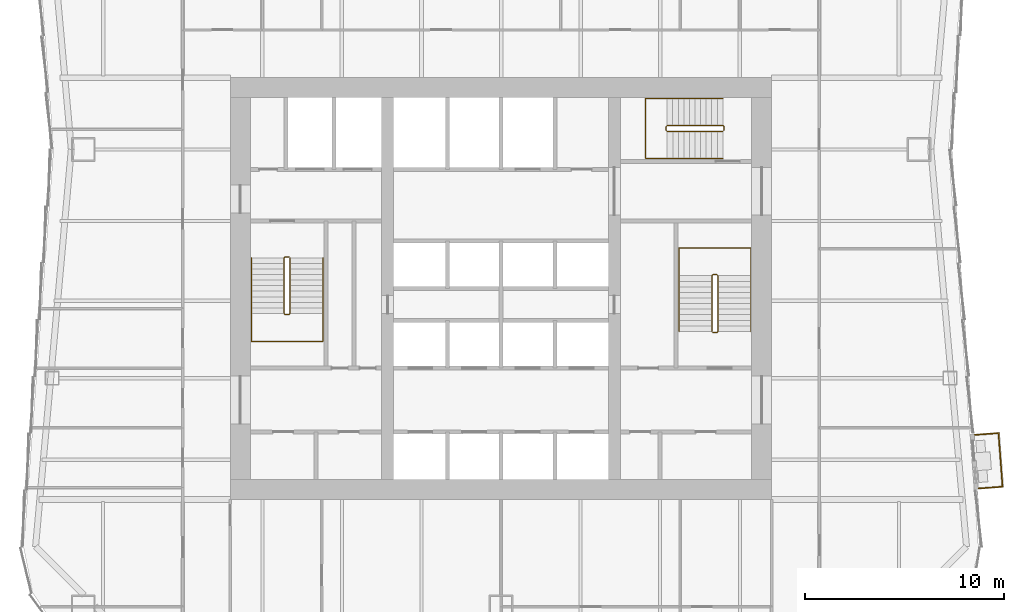
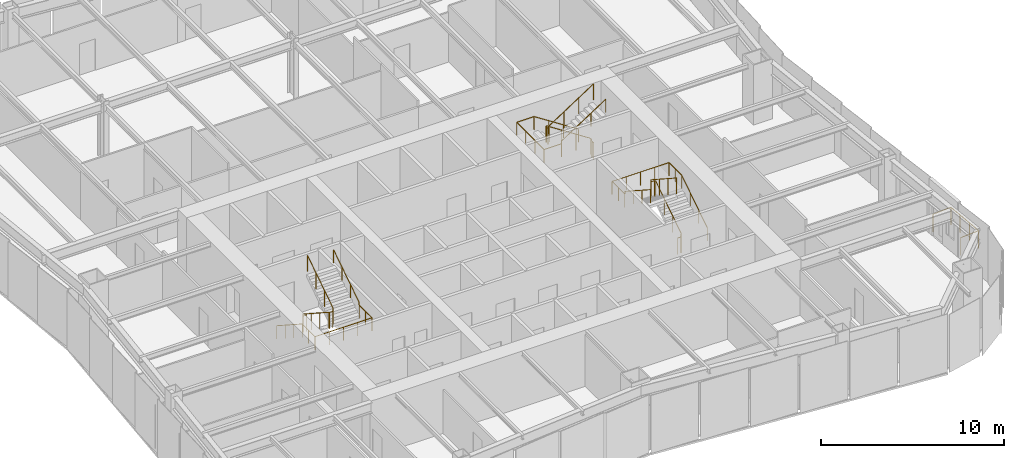
# One storey, part 8 of 9: 7 railings.
"""IFC4 building model written with IfcOpenShell, lengths in metres."""

from ifc_helpers import new_model, si_unit, direction, frame, origin, origin_2d, place, context, subcontext, project, spatial, circle, extrude, material, type_object, element, save


model = new_model("IFC4")

# Units and contexts
model_context = context("Model", 3, precision=1e-05, world=origin(), true_north=direction((0.0, 1.0)))
body_context = subcontext(model_context, "Body", "Model", "MODEL_VIEW")
ifc_project = project(units=[si_unit("LENGTHUNIT", "METRE"), si_unit("AREAUNIT", "SQUARE_METRE"), si_unit("VOLUMEUNIT", "CUBIC_METRE"), si_unit("PLANEANGLEUNIT", "RADIAN"), si_unit("MASSUNIT", "GRAM", prefix="KILO")], contexts=[model_context])

# Site, building, storey
site_placement = place(None, origin())
site = spatial("IfcSite", under=ifc_project, at=site_placement, CompositionType="ELEMENT")
building_placement = place(site_placement, origin())
building = spatial("IfcBuilding", under=site, at=building_placement, Name="Verdant Reach Tower", CompositionType="ELEMENT")
storey_placement = place(building_placement, frame((0.0, 0.0, 166.0)))
storey = spatial("IfcBuildingStorey", under=building, at=storey_placement, Name="L38", CompositionType="ELEMENT", Elevation=166.0)

# Railings
ifc_material_1 = material(Name="Stainless steel", Category="steel")
railing_type_1 = type_object("IfcRailingType", Name="CO-GUARD", PredefinedType="GUARDRAIL", material=ifc_material_1)
railing_1_placement = place(storey_placement, frame((-10.64990234375, 29.60009765625, 0.0)))
element("IfcRailing", 1, at=railing_1_placement, inside=storey, type_object=railing_type_1, Name="L38 ST-1 stair guard 1", PredefinedType="GUARDRAIL", context=body_context, shape_type="SweptSolid", body=[
    extrude(circle(Radius=0.02392578125, at=origin_2d()), frame((0.0, 0.0, 1.076171875), z_axis=(-1.0, 0.0, 0.0), x_axis=(0.0, -1.0, 0.0)), (0.0, 0.0, 1.0), 0.2001953125),
    extrude(circle(Radius=0.02392578125, at=origin_2d()), frame((-0.2001953125, 0.0, 1.076171875), z_axis=(-0.25526617399, -0.256517478764, 0.932222056972), x_axis=(0.708833529934, -0.705375805398, 0.0)), (0.0, 0.0, 1.0), 0.195068359375),
    extrude(circle(Radius=0.02392578125, at=origin_2d()), frame((-0.25, -0.050048828125, 1.2578125), z_axis=(0.0, -0.838705829183, 0.544584733623), x_axis=(1.0, 0.0, 0.0)), (0.0, 0.0, 1.0), 3.338623046875),
    extrude(circle(Radius=0.02392578125, at=origin_2d()), frame((-0.25, -2.85009765625, 3.076171875), z_axis=(0.705375805398, -0.708833529934, 0.0), x_axis=(0.708833529934, 0.705375805398, 0.0)), (0.0, 0.0, 1.0), 0.070556640625),
    extrude(circle(Radius=0.02392578125, at=origin_2d()), frame((-0.2001953125, -2.900146484375, 3.076171875), z_axis=(1.0, 0.0, 0.0), x_axis=(0.0, 1.0, 0.0)), (0.0, 0.0, 1.0), 0.2001953125),
    extrude(circle(Radius=0.02392578125, at=origin_2d()), frame((0.0, -2.900146484375, 3.076171875), z_axis=(0.25526617399, 0.256517478764, 0.932222056972), x_axis=(-0.708833529934, 0.705375805398, 0.0)), (0.0, 0.0, 1.0), 0.195068359375),
    extrude(circle(Radius=0.02392578125, at=origin_2d()), frame((0.0498046875, -2.85009765625, 3.2578125), z_axis=(0.0, 0.838705829183, 0.544584733623), x_axis=(-1.0, 0.0, 0.0)), (0.0, 0.0, 1.0), 3.338623046875),
    extrude(circle(Radius=0.02099609375, at=origin_2d()), origin(), (0.0, 0.0, 1.0), 1.052001953125),
    extrude(circle(Radius=0.02099609375, at=origin_2d()), frame((-0.2001953125, 0.0, 0.0)), (0.0, 0.0, 1.0), 1.052001953125),
    extrude(circle(Radius=0.02099609375, at=origin_2d()), frame((-0.25, -0.050048828125, 0.181884765625)), (0.0, 0.0, 1.0), 1.052001953125),
    extrude(circle(Radius=0.02099609375, at=origin_2d()), frame((-0.25, -0.9833984375, 0.787841796875)), (0.0, 0.0, 1.0), 1.052001953125),
    extrude(circle(Radius=0.02099609375, at=origin_2d()), frame((-0.25, -1.916748046875, 1.39404296875)), (0.0, 0.0, 1.0), 1.052001953125),
    extrude(circle(Radius=0.02099609375, at=origin_2d()), frame((-0.25, -2.85009765625, 2.0)), (0.0, 0.0, 1.0), 1.052001953125),
    extrude(circle(Radius=0.02099609375, at=origin_2d()), frame((-0.2001953125, -2.900146484375, 2.0)), (0.0, 0.0, 1.0), 1.052001953125),
    extrude(circle(Radius=0.02099609375, at=origin_2d()), frame((0.0, -2.900146484375, 2.0)), (0.0, 0.0, 1.0), 1.052001953125),
    extrude(circle(Radius=0.02099609375, at=origin_2d()), frame((0.0498046875, -2.85009765625, 2.181884765625)), (0.0, 0.0, 1.0), 1.052001953125),
    extrude(circle(Radius=0.02099609375, at=origin_2d()), frame((0.0498046875, -1.916748046875, 2.787841796875)), (0.0, 0.0, 1.0), 1.052001953125),
    extrude(circle(Radius=0.02099609375, at=origin_2d()), frame((0.0498046875, -0.9833984375, 3.39404296875)), (0.0, 0.0, 1.0), 1.052001953125),
    extrude(circle(Radius=0.02099609375, at=origin_2d()), frame((0.0498046875, -0.050048828125, 4.0)), (0.0, 0.0, 1.0), 1.052001953125),
])
railing_2_placement = place(storey_placement, frame((10.64990234375, 25.800048828125, 0.0)))
element("IfcRailing", 2, at=railing_2_placement, inside=storey, type_object=railing_type_1, Name="L38 ST-2 stair guard 1", PredefinedType="GUARDRAIL", context=body_context, shape_type="SweptSolid", body=[
    extrude(circle(Radius=0.02392578125, at=origin_2d()), frame((0.0, 0.0, 1.076171875), z_axis=(1.0, 0.0, 0.0), x_axis=(0.0, 1.0, 0.0)), (0.0, 0.0, 1.0), 0.2001953125),
    extrude(circle(Radius=0.02392578125, at=origin_2d()), frame((0.2001953125, 0.0, 1.076171875), z_axis=(0.25526617399, 0.256517478764, 0.932222056972), x_axis=(-0.708833529934, 0.705375805398, 0.0)), (0.0, 0.0, 1.0), 0.195068359375),
    extrude(circle(Radius=0.02392578125, at=origin_2d()), frame((0.25, 0.050048828125, 1.2578125), z_axis=(0.0, 0.83868413941, 0.544618136222), x_axis=(-1.0, 0.0, 0.0)), (0.0, 0.0, 1.0), 3.33837890625),
    extrude(circle(Radius=0.02392578125, at=origin_2d()), frame((0.25, 2.849853515625, 3.076171875), z_axis=(-0.705375805398, 0.708833529934, 0.0), x_axis=(-0.708833529934, -0.705375805398, 0.0)), (0.0, 0.0, 1.0), 0.070556640625),
    extrude(circle(Radius=0.02392578125, at=origin_2d()), frame((0.2001953125, 2.89990234375, 3.076171875), z_axis=(-1.0, 0.0, 0.0), x_axis=(0.0, -1.0, 0.0)), (0.0, 0.0, 1.0), 0.2001953125),
    extrude(circle(Radius=0.02392578125, at=origin_2d()), frame((0.0, 2.89990234375, 3.076171875), z_axis=(-0.25526617399, -0.256517478764, 0.932222056972), x_axis=(0.708833529934, -0.705375805398, 0.0)), (0.0, 0.0, 1.0), 0.195068359375),
    extrude(circle(Radius=0.02392578125, at=origin_2d()), frame((-0.0498046875, 2.849853515625, 3.2578125), z_axis=(0.0, -0.83868413941, 0.544618136222), x_axis=(1.0, 0.0, 0.0)), (0.0, 0.0, 1.0), 3.33837890625),
    extrude(circle(Radius=0.02099609375, at=origin_2d()), origin(), (0.0, 0.0, 1.0), 1.052001953125),
    extrude(circle(Radius=0.02099609375, at=origin_2d()), frame((0.2001953125, 0.0, 0.0)), (0.0, 0.0, 1.0), 1.052001953125),
    extrude(circle(Radius=0.02099609375, at=origin_2d()), frame((0.25, 0.050048828125, 0.181884765625)), (0.0, 0.0, 1.0), 1.052001953125),
    extrude(circle(Radius=0.02099609375, at=origin_2d()), frame((0.25, 0.9833984375, 0.787841796875)), (0.0, 0.0, 1.0), 1.052001953125),
    extrude(circle(Radius=0.02099609375, at=origin_2d()), frame((0.25, 1.91650390625, 1.39404296875)), (0.0, 0.0, 1.0), 1.052001953125),
    extrude(circle(Radius=0.02099609375, at=origin_2d()), frame((0.25, 2.849853515625, 2.0)), (0.0, 0.0, 1.0), 1.052001953125),
    extrude(circle(Radius=0.02099609375, at=origin_2d()), frame((0.2001953125, 2.89990234375, 2.0)), (0.0, 0.0, 1.0), 1.052001953125),
    extrude(circle(Radius=0.02099609375, at=origin_2d()), frame((0.0, 2.89990234375, 2.0)), (0.0, 0.0, 1.0), 1.052001953125),
    extrude(circle(Radius=0.02099609375, at=origin_2d()), frame((-0.0498046875, 2.849853515625, 2.181884765625)), (0.0, 0.0, 1.0), 1.052001953125),
    extrude(circle(Radius=0.02099609375, at=origin_2d()), frame((-0.0498046875, 1.91650390625, 2.787841796875)), (0.0, 0.0, 1.0), 1.052001953125),
    extrude(circle(Radius=0.02099609375, at=origin_2d()), frame((-0.0498046875, 0.9833984375, 3.39404296875)), (0.0, 0.0, 1.0), 1.052001953125),
    extrude(circle(Radius=0.02099609375, at=origin_2d()), frame((-0.0498046875, 0.050048828125, 4.0)), (0.0, 0.0, 1.0), 1.052001953125),
])
railing_3_placement = place(storey_placement, frame((11.199951171875, 35.949951171875, 0.0)))
element("IfcRailing", 3, at=railing_3_placement, inside=storey, type_object=railing_type_1, Name="L38 ST-3 stair guard 1", PredefinedType="GUARDRAIL", context=body_context, shape_type="SweptSolid", body=[
    extrude(circle(Radius=0.02392578125, at=origin_2d()), frame((0.0, 0.0, 1.076171875), z_axis=(0.0, 1.0, 0.0), x_axis=(-1.0, 0.0, 0.0)), (0.0, 0.0, 1.0), 0.199951171875),
    extrude(circle(Radius=0.02392578125, at=origin_2d()), frame((0.0, 0.199951171875, 1.076171875), z_axis=(-0.256435381639, 0.256435381639, 0.931923704005), x_axis=(-0.707106781187, -0.707106781187, 0.0)), (0.0, 0.0, 1.0), 0.195068359375),
    extrude(circle(Radius=0.02392578125, at=origin_2d()), frame((-0.050048828125, 0.25, 1.2578125), z_axis=(-0.83868413941, 0.0, 0.544618136222), x_axis=(0.0, -1.0, 0.0)), (0.0, 0.0, 1.0), 3.33837890625),
    extrude(circle(Radius=0.02392578125, at=origin_2d()), frame((-2.849853515625, 0.25, 3.076171875), z_axis=(-0.707106781187, -0.707106781187, 0.0), x_axis=(0.707106781187, -0.707106781187, 0.0)), (0.0, 0.0, 1.0), 0.07080078125),
    extrude(circle(Radius=0.02392578125, at=origin_2d()), frame((-2.89990234375, 0.199951171875, 3.076171875), z_axis=(0.0, -1.0, 0.0), x_axis=(1.0, 0.0, 0.0)), (0.0, 0.0, 1.0), 0.199951171875),
    extrude(circle(Radius=0.02392578125, at=origin_2d()), frame((-2.89990234375, 0.0, 3.076171875), z_axis=(0.256435381639, -0.256435381639, 0.931923704005), x_axis=(0.707106781187, 0.707106781187, 0.0)), (0.0, 0.0, 1.0), 0.195068359375),
    extrude(circle(Radius=0.02392578125, at=origin_2d()), frame((-2.849853515625, -0.050048828125, 3.2578125), z_axis=(0.83868413941, 0.0, 0.544618136222), x_axis=(0.0, 1.0, 0.0)), (0.0, 0.0, 1.0), 3.33837890625),
    extrude(circle(Radius=0.02099609375, at=origin_2d()), origin(), (0.0, 0.0, 1.0), 1.052001953125),
    extrude(circle(Radius=0.02099609375, at=origin_2d()), frame((0.0, 0.199951171875, 0.0)), (0.0, 0.0, 1.0), 1.052001953125),
    extrude(circle(Radius=0.02099609375, at=origin_2d()), frame((-0.050048828125, 0.25, 0.181884765625)), (0.0, 0.0, 1.0), 1.052001953125),
    extrude(circle(Radius=0.02099609375, at=origin_2d()), frame((-0.9833984375, 0.25, 0.787841796875)), (0.0, 0.0, 1.0), 1.052001953125),
    extrude(circle(Radius=0.02099609375, at=origin_2d()), frame((-1.91650390625, 0.25, 1.39404296875)), (0.0, 0.0, 1.0), 1.052001953125),
    extrude(circle(Radius=0.02099609375, at=origin_2d()), frame((-2.849853515625, 0.25, 2.0)), (0.0, 0.0, 1.0), 1.052001953125),
    extrude(circle(Radius=0.02099609375, at=origin_2d()), frame((-2.89990234375, 0.199951171875, 2.0)), (0.0, 0.0, 1.0), 1.052001953125),
    extrude(circle(Radius=0.02099609375, at=origin_2d()), frame((-2.89990234375, 0.0, 2.0)), (0.0, 0.0, 1.0), 1.052001953125),
    extrude(circle(Radius=0.02099609375, at=origin_2d()), frame((-2.849853515625, -0.050048828125, 2.181884765625)), (0.0, 0.0, 1.0), 1.052001953125),
    extrude(circle(Radius=0.02099609375, at=origin_2d()), frame((-1.91650390625, -0.050048828125, 2.787841796875)), (0.0, 0.0, 1.0), 1.052001953125),
    extrude(circle(Radius=0.02099609375, at=origin_2d()), frame((-0.9833984375, -0.050048828125, 3.39404296875)), (0.0, 0.0, 1.0), 1.052001953125),
    extrude(circle(Radius=0.02099609375, at=origin_2d()), frame((-0.050048828125, -0.050048828125, 4.0)), (0.0, 0.0, 1.0), 1.052001953125),
])
railing_type_2 = type_object("IfcRailingType", Name="CO-HANDRAIL", PredefinedType="HANDRAIL", material=ifc_material_1)
railing_4_placement = place(storey_placement, frame((-12.550048828125, 29.550048828125, 0.181884765625)))
element("IfcRailing", 4, at=railing_4_placement, inside=storey, type_object=railing_type_2, Name="L38 ST-1 stair handrail 1", PredefinedType="HANDRAIL", context=body_context, shape_type="SweptSolid", body=[
    extrude(circle(Radius=0.02392578125, at=origin_2d()), frame((0.0, 0.0, 0.8759765625), z_axis=(0.0, -0.838705829183, 0.544584733623), x_axis=(1.0, 0.0, 0.0)), (0.0, 0.0, 1.0), 3.338623046875),
    extrude(circle(Radius=0.02392578125, at=origin_2d()), frame((0.0, -2.800048828125, 2.69384765625), z_axis=(0.0, -1.0, 0.0), x_axis=(1.0, 0.0, 0.0)), (0.0, 0.0, 1.0), 1.39990234375),
    extrude(circle(Radius=0.02392578125, at=origin_2d()), frame((0.0, -4.199951171875, 2.69384765625), z_axis=(1.0, 0.0, 0.0), x_axis=(0.0, 1.0, 0.0)), (0.0, 0.0, 1.0), 3.60009765625),
    extrude(circle(Radius=0.02392578125, at=origin_2d()), frame((3.60009765625, -4.199951171875, 2.69384765625), z_axis=(0.0, 1.0, 0.0), x_axis=(-1.0, 0.0, 0.0)), (0.0, 0.0, 1.0), 1.39990234375),
    extrude(circle(Radius=0.02392578125, at=origin_2d()), frame((3.60009765625, -2.800048828125, 2.69384765625), z_axis=(0.0, 0.0, 1.0), x_axis=(1.0, 0.0, 0.0)), (0.0, 0.0, 1.0), 0.181884765625),
    extrude(circle(Radius=0.02392578125, at=origin_2d()), frame((3.60009765625, -2.800048828125, 2.8759765625), z_axis=(0.0, 0.838705829183, 0.544584733623), x_axis=(-1.0, 0.0, 0.0)), (0.0, 0.0, 1.0), 3.338623046875),
    extrude(circle(Radius=0.02099609375, at=origin_2d()), origin(), (0.0, 0.0, 1.0), 0.851806640625),
    extrude(circle(Radius=0.02099609375, at=origin_2d()), frame((0.0, -0.933349609375, 0.60595703125)), (0.0, 0.0, 1.0), 0.851806640625),
    extrude(circle(Radius=0.02099609375, at=origin_2d()), frame((0.0, -1.86669921875, 1.212158203125)), (0.0, 0.0, 1.0), 0.851806640625),
    extrude(circle(Radius=0.02099609375, at=origin_2d()), frame((0.0, -2.800048828125, 1.818115234375)), (0.0, 0.0, 1.0), 0.851806640625),
    extrude(circle(Radius=0.02099609375, at=origin_2d()), frame((0.0, -3.5, 1.818115234375)), (0.0, 0.0, 1.0), 0.851806640625),
    extrude(circle(Radius=0.02099609375, at=origin_2d()), frame((0.0, -4.199951171875, 1.818115234375)), (0.0, 0.0, 1.0), 0.851806640625),
    extrude(circle(Radius=0.02099609375, at=origin_2d()), frame((0.89990234375, -4.199951171875, 1.818115234375)), (0.0, 0.0, 1.0), 0.851806640625),
    extrude(circle(Radius=0.02099609375, at=origin_2d()), frame((1.800048828125, -4.199951171875, 1.818115234375)), (0.0, 0.0, 1.0), 0.851806640625),
    extrude(circle(Radius=0.02099609375, at=origin_2d()), frame((2.7001953125, -4.199951171875, 1.818115234375)), (0.0, 0.0, 1.0), 0.851806640625),
    extrude(circle(Radius=0.02099609375, at=origin_2d()), frame((3.60009765625, -4.199951171875, 1.818115234375)), (0.0, 0.0, 1.0), 0.851806640625),
    extrude(circle(Radius=0.02099609375, at=origin_2d()), frame((3.60009765625, -3.5, 1.818115234375)), (0.0, 0.0, 1.0), 0.851806640625),
    extrude(circle(Radius=0.02099609375, at=origin_2d()), frame((3.60009765625, -2.800048828125, 1.818115234375)), (0.0, 0.0, 1.0), 0.851806640625),
    extrude(circle(Radius=0.02099609375, at=origin_2d()), frame((3.60009765625, -2.800048828125, 2.0)), (0.0, 0.0, 1.0), 0.851806640625),
    extrude(circle(Radius=0.02099609375, at=origin_2d()), frame((3.60009765625, -1.86669921875, 2.60595703125)), (0.0, 0.0, 1.0), 0.851806640625),
    extrude(circle(Radius=0.02099609375, at=origin_2d()), frame((3.60009765625, -0.933349609375, 3.212158203125)), (0.0, 0.0, 1.0), 0.851806640625),
    extrude(circle(Radius=0.02099609375, at=origin_2d()), frame((3.60009765625, 0.0, 3.818115234375)), (0.0, 0.0, 1.0), 0.851806640625),
])
railing_5_placement = place(storey_placement, frame((12.550048828125, 25.85009765625, 0.181884765625)))
element("IfcRailing", 5, at=railing_5_placement, inside=storey, type_object=railing_type_2, Name="L38 ST-2 stair handrail 1", PredefinedType="HANDRAIL", context=body_context, shape_type="SweptSolid", body=[
    extrude(circle(Radius=0.02392578125, at=origin_2d()), frame((0.0, 0.0, 0.8759765625), z_axis=(0.0, 0.83868413941, 0.544618136222), x_axis=(-1.0, 0.0, 0.0)), (0.0, 0.0, 1.0), 3.33837890625),
    extrude(circle(Radius=0.02392578125, at=origin_2d()), frame((0.0, 2.7998046875, 2.69384765625), z_axis=(0.0, 1.0, 0.0), x_axis=(-1.0, 0.0, 0.0)), (0.0, 0.0, 1.0), 1.400146484375),
    extrude(circle(Radius=0.02392578125, at=origin_2d()), frame((0.0, 4.199951171875, 2.69384765625), z_axis=(-1.0, 0.0, 0.0), x_axis=(0.0, -1.0, 0.0)), (0.0, 0.0, 1.0), 3.60009765625),
    extrude(circle(Radius=0.02392578125, at=origin_2d()), frame((-3.60009765625, 4.199951171875, 2.69384765625), z_axis=(0.0, -1.0, 0.0), x_axis=(1.0, 0.0, 0.0)), (0.0, 0.0, 1.0), 1.400146484375),
    extrude(circle(Radius=0.02392578125, at=origin_2d()), frame((-3.60009765625, 2.7998046875, 2.69384765625), z_axis=(0.0, 0.0, 1.0), x_axis=(1.0, 0.0, 0.0)), (0.0, 0.0, 1.0), 0.181884765625),
    extrude(circle(Radius=0.02392578125, at=origin_2d()), frame((-3.60009765625, 2.7998046875, 2.8759765625), z_axis=(0.0, -0.83868413941, 0.544618136222), x_axis=(1.0, 0.0, 0.0)), (0.0, 0.0, 1.0), 3.33837890625),
    extrude(circle(Radius=0.02099609375, at=origin_2d()), origin(), (0.0, 0.0, 1.0), 0.851806640625),
    extrude(circle(Radius=0.02099609375, at=origin_2d()), frame((0.0, 0.933349609375, 0.60595703125)), (0.0, 0.0, 1.0), 0.851806640625),
    extrude(circle(Radius=0.02099609375, at=origin_2d()), frame((0.0, 1.866455078125, 1.212158203125)), (0.0, 0.0, 1.0), 0.851806640625),
    extrude(circle(Radius=0.02099609375, at=origin_2d()), frame((0.0, 2.7998046875, 1.818115234375)), (0.0, 0.0, 1.0), 0.851806640625),
    extrude(circle(Radius=0.02099609375, at=origin_2d()), frame((0.0, 3.5, 1.818115234375)), (0.0, 0.0, 1.0), 0.851806640625),
    extrude(circle(Radius=0.02099609375, at=origin_2d()), frame((0.0, 4.199951171875, 1.818115234375)), (0.0, 0.0, 1.0), 0.851806640625),
    extrude(circle(Radius=0.02099609375, at=origin_2d()), frame((-0.89990234375, 4.199951171875, 1.818115234375)), (0.0, 0.0, 1.0), 0.851806640625),
    extrude(circle(Radius=0.02099609375, at=origin_2d()), frame((-1.800048828125, 4.199951171875, 1.818115234375)), (0.0, 0.0, 1.0), 0.851806640625),
    extrude(circle(Radius=0.02099609375, at=origin_2d()), frame((-2.7001953125, 4.199951171875, 1.818115234375)), (0.0, 0.0, 1.0), 0.851806640625),
    extrude(circle(Radius=0.02099609375, at=origin_2d()), frame((-3.60009765625, 4.199951171875, 1.818115234375)), (0.0, 0.0, 1.0), 0.851806640625),
    extrude(circle(Radius=0.02099609375, at=origin_2d()), frame((-3.60009765625, 3.5, 1.818115234375)), (0.0, 0.0, 1.0), 0.851806640625),
    extrude(circle(Radius=0.02099609375, at=origin_2d()), frame((-3.60009765625, 2.7998046875, 1.818115234375)), (0.0, 0.0, 1.0), 0.851806640625),
    extrude(circle(Radius=0.02099609375, at=origin_2d()), frame((-3.60009765625, 2.7998046875, 2.0)), (0.0, 0.0, 1.0), 0.851806640625),
    extrude(circle(Radius=0.02099609375, at=origin_2d()), frame((-3.60009765625, 1.866455078125, 2.60595703125)), (0.0, 0.0, 1.0), 0.851806640625),
    extrude(circle(Radius=0.02099609375, at=origin_2d()), frame((-3.60009765625, 0.933349609375, 3.212158203125)), (0.0, 0.0, 1.0), 0.851806640625),
    extrude(circle(Radius=0.02099609375, at=origin_2d()), frame((-3.60009765625, 0.0, 3.818115234375)), (0.0, 0.0, 1.0), 0.851806640625),
])
railing_6_placement = place(storey_placement, frame((11.14990234375, 37.550048828125, 0.181884765625)))
element("IfcRailing", 6, at=railing_6_placement, inside=storey, type_object=railing_type_2, Name="L38 ST-3 stair handrail 1", PredefinedType="HANDRAIL", context=body_context, shape_type="SweptSolid", body=[
    extrude(circle(Radius=0.02392578125, at=origin_2d()), frame((0.0, 0.0, 0.8759765625), z_axis=(-0.83868413941, 0.0, 0.544618136222), x_axis=(0.0, -1.0, 0.0)), (0.0, 0.0, 1.0), 3.33837890625),
    extrude(circle(Radius=0.02392578125, at=origin_2d()), frame((-2.7998046875, 0.0, 2.69384765625), z_axis=(-1.0, 0.0, 0.0), x_axis=(0.0, -1.0, 0.0)), (0.0, 0.0, 1.0), 1.10009765625),
    extrude(circle(Radius=0.02392578125, at=origin_2d()), frame((-3.89990234375, 0.0, 2.69384765625), z_axis=(0.0, -1.0, 0.0), x_axis=(1.0, 0.0, 0.0)), (0.0, 0.0, 1.0), 3.0),
    extrude(circle(Radius=0.02392578125, at=origin_2d()), frame((-3.89990234375, -3.0, 2.69384765625), z_axis=(1.0, 0.0, 0.0), x_axis=(0.0, 1.0, 0.0)), (0.0, 0.0, 1.0), 1.10009765625),
    extrude(circle(Radius=0.02392578125, at=origin_2d()), frame((-2.7998046875, -3.0, 2.69384765625), z_axis=(0.0, 0.0, 1.0), x_axis=(1.0, 0.0, 0.0)), (0.0, 0.0, 1.0), 0.181884765625),
    extrude(circle(Radius=0.02392578125, at=origin_2d()), frame((-2.7998046875, -3.0, 2.8759765625), z_axis=(0.83868413941, 0.0, 0.544618136222), x_axis=(0.0, 1.0, 0.0)), (0.0, 0.0, 1.0), 3.33837890625),
    extrude(circle(Radius=0.02099609375, at=origin_2d()), origin(), (0.0, 0.0, 1.0), 0.851806640625),
    extrude(circle(Radius=0.02099609375, at=origin_2d()), frame((-0.933349609375, 0.0, 0.60595703125)), (0.0, 0.0, 1.0), 0.851806640625),
    extrude(circle(Radius=0.02099609375, at=origin_2d()), frame((-1.866455078125, 0.0, 1.212158203125)), (0.0, 0.0, 1.0), 0.851806640625),
    extrude(circle(Radius=0.02099609375, at=origin_2d()), frame((-2.7998046875, 0.0, 1.818115234375)), (0.0, 0.0, 1.0), 0.851806640625),
    extrude(circle(Radius=0.02099609375, at=origin_2d()), frame((-3.89990234375, 0.0, 1.818115234375)), (0.0, 0.0, 1.0), 0.851806640625),
    extrude(circle(Radius=0.02099609375, at=origin_2d()), frame((-3.89990234375, -1.0, 1.818115234375)), (0.0, 0.0, 1.0), 0.851806640625),
    extrude(circle(Radius=0.02099609375, at=origin_2d()), frame((-3.89990234375, -2.0, 1.818115234375)), (0.0, 0.0, 1.0), 0.851806640625),
    extrude(circle(Radius=0.02099609375, at=origin_2d()), frame((-3.89990234375, -3.0, 1.818115234375)), (0.0, 0.0, 1.0), 0.851806640625),
    extrude(circle(Radius=0.02099609375, at=origin_2d()), frame((-2.7998046875, -3.0, 1.818115234375)), (0.0, 0.0, 1.0), 0.851806640625),
    extrude(circle(Radius=0.02099609375, at=origin_2d()), frame((-2.7998046875, -3.0, 2.0)), (0.0, 0.0, 1.0), 0.851806640625),
    extrude(circle(Radius=0.02099609375, at=origin_2d()), frame((-1.866455078125, -3.0, 2.60595703125)), (0.0, 0.0, 1.0), 0.851806640625),
    extrude(circle(Radius=0.02099609375, at=origin_2d()), frame((-0.933349609375, -3.0, 3.212158203125)), (0.0, 0.0, 1.0), 0.851806640625),
    extrude(circle(Radius=0.02099609375, at=origin_2d()), frame((0.0, -3.0, 3.818115234375)), (0.0, 0.0, 1.0), 0.851806640625),
])
ifc_material_2 = material(Name="Stainless steel and laminated glass balustrade", Category="steel")
railing_type_3 = type_object("IfcRailingType", Name="EN-RAILING BALCONY", PredefinedType="GUARDRAIL", material=ifc_material_2)
railing_7_placement = place(storey_placement, frame((24.02099609375, 17.95703125, 0.0)))
element("IfcRailing", 7, at=railing_7_placement, inside=storey, type_object=railing_type_3, Name="Balcony guard 1, L38", PredefinedType="GUARDRAIL", context=body_context, shape_type="SweptSolid", body=[
    extrude(circle(Radius=0.02490234375, at=origin_2d()), frame((0.0, 0.0, 1.1748046875), z_axis=(0.997197776878, 0.07481038557, 0.0), x_axis=(-0.07481038557, 0.997197776878, 0.0)), (0.0, 0.0, 1.0), 1.18798828125),
    extrude(circle(Radius=0.02490234375, at=origin_2d()), frame((1.1845703125, 0.0888671875, 1.1748046875), z_axis=(-0.074747256095, 0.99720251088, 0.0), x_axis=(-0.99720251088, -0.074747256095, 0.0)), (0.0, 0.0, 1.0), 2.701171875),
    extrude(circle(Radius=0.02490234375, at=origin_2d()), frame((0.982666015625, 2.782470703125, 1.1748046875), z_axis=(-0.997198926754, -0.07479505653, 0.0), x_axis=(0.07479505653, -0.997198926754, 0.0)), (0.0, 0.0, 1.0), 1.188232421875),
    extrude(circle(Radius=0.02490234375, at=origin_2d()), origin(), (0.0, 0.0, 1.0), 1.14990234375),
    extrude(circle(Radius=0.02490234375, at=origin_2d()), frame((1.1845703125, 0.0888671875, 0.0)), (0.0, 0.0, 1.0), 1.14990234375),
    extrude(circle(Radius=0.02490234375, at=origin_2d()), frame((1.1171875, 0.98681640625, 0.0)), (0.0, 0.0, 1.0), 1.14990234375),
    extrude(circle(Radius=0.02490234375, at=origin_2d()), frame((1.050048828125, 1.884521484375, 0.0)), (0.0, 0.0, 1.0), 1.14990234375),
    extrude(circle(Radius=0.02490234375, at=origin_2d()), frame((0.982666015625, 2.782470703125, 0.0)), (0.0, 0.0, 1.0), 1.14990234375),
    extrude(circle(Radius=0.02490234375, at=origin_2d()), frame((-0.2021484375, 2.693603515625, 0.0)), (0.0, 0.0, 1.0), 1.14990234375),
])

save(model, "model.ifc")
